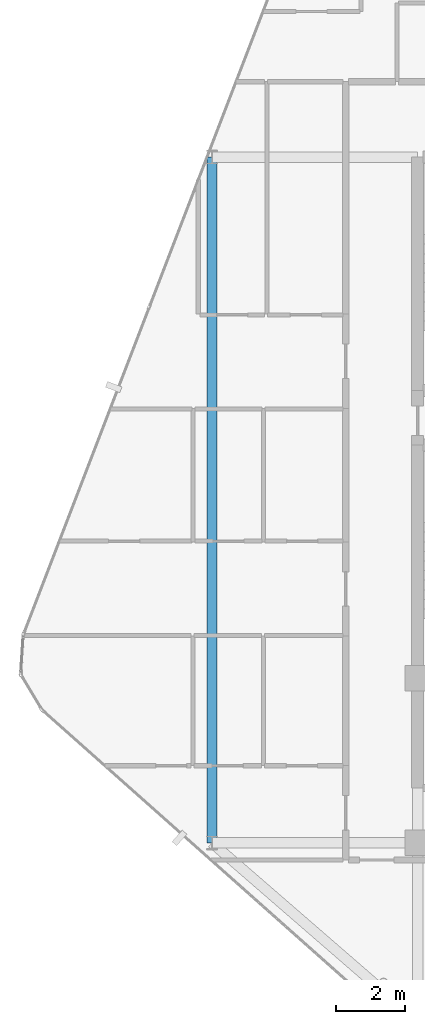
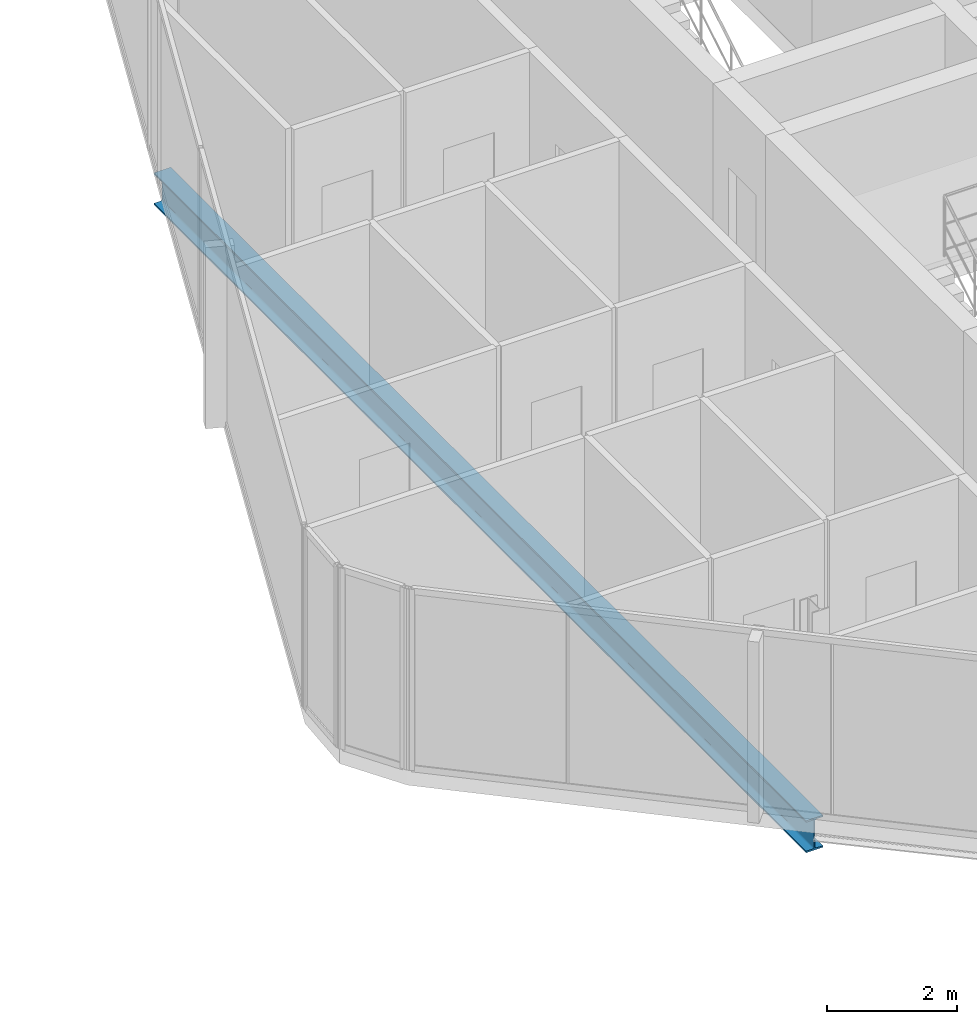
# One storey, part 9 of 27: 1 beam.
"""IFC4 building model written with IfcOpenShell, lengths in metres."""

from ifc_helpers import new_model, si_unit, direction, frame, origin, origin_2d, place, context, subcontext, project, spatial, i_section, extrude, material, material_profile, profile_set, type_object, element, save


model = new_model("IFC4")

# Units and contexts
model_context = context("Model", 3, precision=1e-05, world=origin(), true_north=direction((0.0, 1.0)))
body_context = subcontext(model_context, "Body", "Model", "MODEL_VIEW")
ifc_project = project(units=[si_unit("LENGTHUNIT", "METRE"), si_unit("AREAUNIT", "SQUARE_METRE"), si_unit("VOLUMEUNIT", "CUBIC_METRE"), si_unit("PLANEANGLEUNIT", "RADIAN"), si_unit("MASSUNIT", "GRAM", prefix="KILO")], contexts=[model_context])

# Site, building, storey
site_placement = place(None, origin())
site = spatial("IfcSite", under=ifc_project, at=site_placement, CompositionType="ELEMENT")
building_placement = place(site_placement, origin())
building = spatial("IfcBuilding", under=site, at=building_placement, Name="Keshet Zoharim Tower", CompositionType="ELEMENT")
storey_placement = place(building_placement, frame((0.0, 0.0, 273.199951171875)))
storey = spatial("IfcBuildingStorey", under=building, at=storey_placement, Name="L68", CompositionType="ELEMENT", Elevation=273.199951171875)

# Beam
ifc_material = material(Name="Steel S355", Category="steel")
ifc_material_profile = material_profile(ifc_material, i_section(OverallWidth=0.300048828125, OverallDepth=0.60009765625, WebThickness=0.015380859375, FlangeThickness=0.030029296875, FilletRadius=0.027099609375, at=origin_2d()), Name="HEB600")
ifc_profile_set = profile_set([ifc_material_profile], Name="Steel S355")
beam_type = type_object("IfcBeamType", Name="BM-LNG-HB600", PredefinedType="BEAM", material=ifc_profile_set)
beam_placement = place(storey_placement, frame((9.0, 17.89990234375, -0.60986328125), z_axis=(0.0, 1.0, 0.0), x_axis=(-1.0, 0.0, 0.0)))
element("IfcBeam", 1, at=beam_placement, inside=storey, type_object=beam_type, Name="L68 Primary Girder Y-001", PredefinedType="BEAM", context=body_context, shape_type="SweptSolid", body=[
    extrude(i_section(OverallWidth=0.300048828125, OverallDepth=0.60009765625, WebThickness=0.015380859375, FlangeThickness=0.030029296875, FilletRadius=0.027099609375, at=origin_2d()), origin(), (0.0, 0.0, 1.0), 20.0),
])

save(model, "model.ifc")
